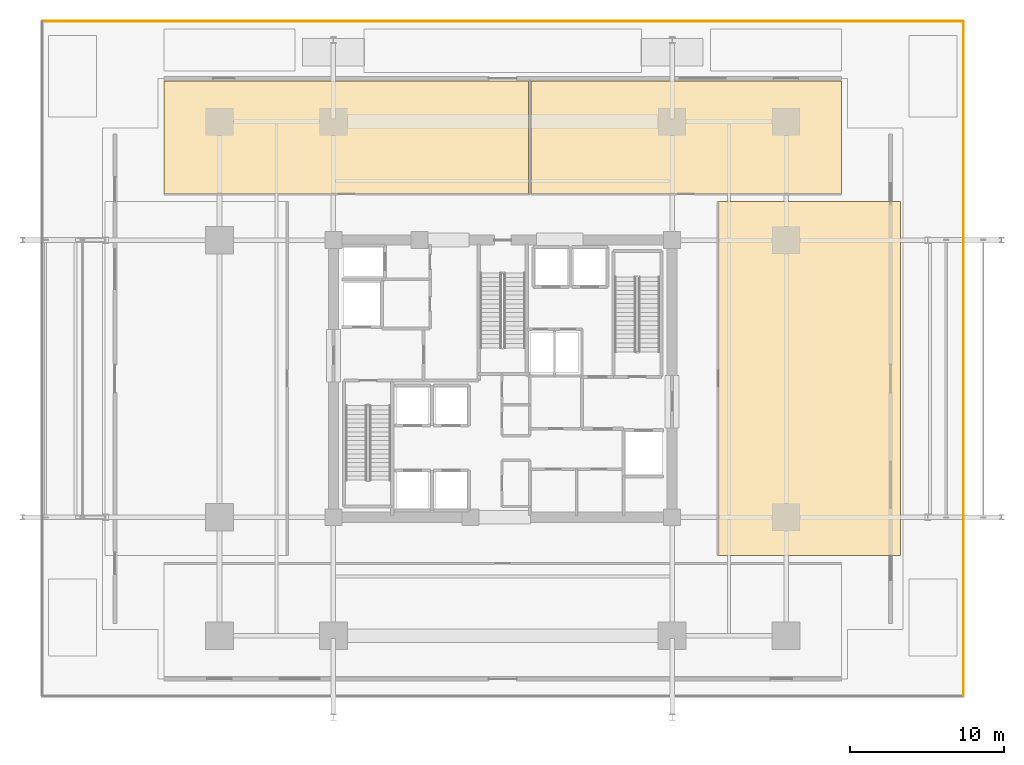
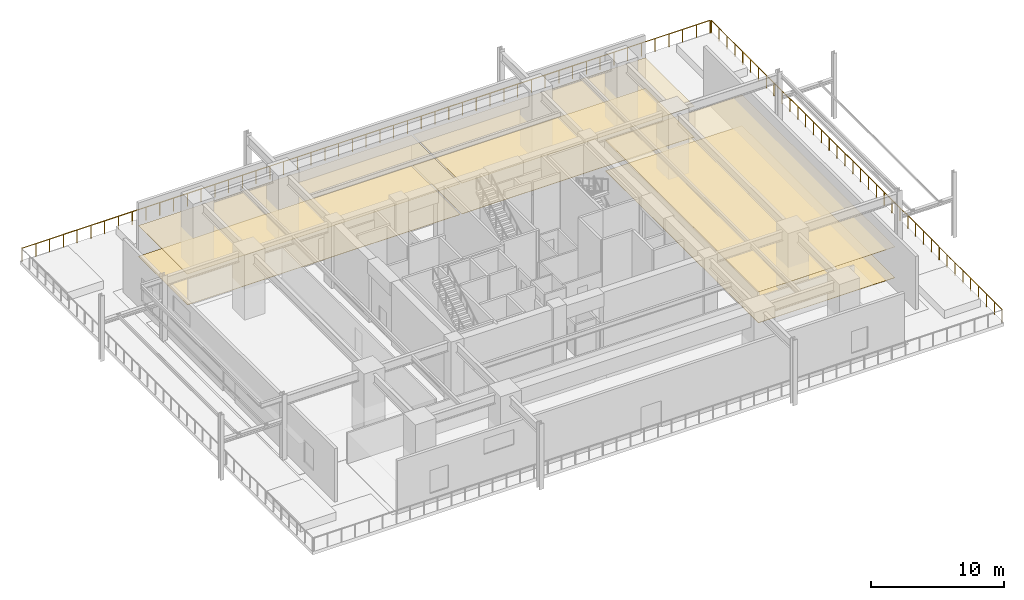
# One storey, part 14 of 14: 6 coverings, 2 railings.
"""IFC4 building model written with IfcOpenShell, lengths in metres."""

from ifc_helpers import new_model, si_unit, direction, frame, origin, origin_2d, place, context, subcontext, project, spatial, polyline, circle, outline, extrude, material, layer, layer_set, type_object, element, save


model = new_model("IFC4")

# Units and contexts
model_context = context("Model", 3, precision=1e-05, world=origin(), true_north=direction((0.0, 1.0)))
body_context = subcontext(model_context, "Body", "Model", "MODEL_VIEW")
ifc_project = project(units=[si_unit("LENGTHUNIT", "METRE"), si_unit("AREAUNIT", "SQUARE_METRE"), si_unit("VOLUMEUNIT", "CUBIC_METRE"), si_unit("PLANEANGLEUNIT", "RADIAN"), si_unit("MASSUNIT", "GRAM", prefix="KILO")], contexts=[model_context])

# Site, building, storey
site_placement = place(None, origin())
site = spatial("IfcSite", under=ifc_project, at=site_placement, CompositionType="ELEMENT")
building_placement = place(site_placement, origin())
building = spatial("IfcBuilding", under=site, at=building_placement, Name="Kovane Verandah Tower", CompositionType="ELEMENT")
storey_placement = place(building_placement, frame((0.0, 0.0, 21.60009765625)))
storey = spatial("IfcBuildingStorey", under=building, at=storey_placement, Name="L04", CompositionType="ELEMENT", Elevation=21.60009765625)

# Coverings
ifc_material_1 = material(Name="Perforated Acoustic Mineral-Fibre Ceiling Tile", Category="gypsum")
ifc_layer_1 = layer(ifc_material_1, 0.02490234375)
ifc_layer_set_1 = layer_set([ifc_layer_1], Name="Perforated Acoustic Mineral-Fibre Ceiling Tile")
covering_type_1 = type_object("IfcCoveringType", Name="CV-CEIL-25", PredefinedType="CEILING", material=ifc_layer_set_1)
covering_1_placement = place(storey_placement, frame((0.0, 0.0, 2.824951171875)))
element("IfcCovering", 1, at=covering_1_placement, inside=storey, type_object=covering_type_1, Name="L04 Subtropical Botanical Garden Cafe Acoustic Ceiling", PredefinedType="CEILING", context=body_context, shape_type="SweptSolid", body=[
    extrude(outline(polyline([(18.0, 39.5), (41.679931640625, 39.5), (41.679931640625, 46.85009765625), (18.0, 46.85009765625), (18.0, 39.5)])), origin(), (0.0, 0.0, 1.0), 0.02490234375),
])
covering_2_placement = place(storey_placement, frame((0.0, 0.0, 2.824951171875)))
element("IfcCovering", 2, at=covering_2_placement, inside=storey, type_object=covering_type_1, Name="L04 Garden Event Lounge Acoustic Ceiling", PredefinedType="CEILING", context=body_context, shape_type="SweptSolid", body=[
    extrude(outline(polyline([(41.820068359375, 39.5), (62.0, 39.5), (62.0, 46.85009765625), (41.820068359375, 46.85009765625), (41.820068359375, 39.5)])), origin(), (0.0, 0.0, 1.0), 0.02490234375),
])
covering_3_placement = place(storey_placement, frame((0.0, 0.0, 2.824951171875)))
element("IfcCovering", 3, at=covering_3_placement, inside=storey, type_object=covering_type_1, Name="L04 East Conservatory Exhibition Gallery Acoustic Ceiling", PredefinedType="CEILING", context=body_context, shape_type="SweptSolid", body=[
    extrude(outline(polyline([(54.0, 16.0), (65.85009765625, 16.0), (65.85009765625, 39.0), (54.0, 39.0), (54.0, 16.0)])), origin(), (0.0, 0.0, 1.0), 0.02490234375),
])
ifc_material_2 = material(Name="Polished Terrazzo and Raised-Access Carpet Tile Finish", Category="concrete")
ifc_layer_2 = layer(ifc_material_2, 0.030029296875)
ifc_layer_set_2 = layer_set([ifc_layer_2], Name="Polished Terrazzo and Raised-Access Carpet Tile Finish")
covering_type_2 = type_object("IfcCoveringType", Name="CV-FLOR-30", PredefinedType="FLOORING", material=ifc_layer_set_2)
covering_4_placement = place(storey_placement, origin())
element("IfcCovering", 4, at=covering_4_placement, inside=storey, type_object=covering_type_2, Name="L04 Subtropical Botanical Garden Cafe Floor Finish", PredefinedType="FLOORING", context=body_context, shape_type="SweptSolid", body=[
    extrude(outline(polyline([(18.0, 39.5), (41.679931640625, 39.5), (41.679931640625, 46.85009765625), (18.0, 46.85009765625), (18.0, 39.5)])), origin(), (0.0, 0.0, 1.0), 0.02978515625),
])
covering_5_placement = place(storey_placement, origin())
element("IfcCovering", 5, at=covering_5_placement, inside=storey, type_object=covering_type_2, Name="L04 Garden Event Lounge Floor Finish", PredefinedType="FLOORING", context=body_context, shape_type="SweptSolid", body=[
    extrude(outline(polyline([(41.820068359375, 39.5), (62.0, 39.5), (62.0, 46.85009765625), (41.820068359375, 46.85009765625), (41.820068359375, 39.5)])), origin(), (0.0, 0.0, 1.0), 0.02978515625),
])
covering_6_placement = place(storey_placement, origin())
element("IfcCovering", 6, at=covering_6_placement, inside=storey, type_object=covering_type_2, Name="L04 East Conservatory Exhibition Gallery Floor Finish", PredefinedType="FLOORING", context=body_context, shape_type="SweptSolid", body=[
    extrude(outline(polyline([(54.0, 16.0), (65.85009765625, 16.0), (65.85009765625, 39.0), (54.0, 39.0), (54.0, 16.0)])), origin(), (0.0, 0.0, 1.0), 0.02978515625),
])

# Railings
ifc_material_3 = material(Name="Pale-Champagne Stainless Steel and Glass Perimeter Guard", Category="steel")
railing_type = type_object("IfcRailingType", Name="RL-GDN-1200", PredefinedType="GUARDRAIL", material=ifc_material_3)
railing_1_placement = place(storey_placement, frame((69.919921875, 6.93994140625, 0.0)))
element("IfcRailing", 7, at=railing_1_placement, inside=storey, type_object=railing_type, Name="L04 Raised Public Garden Perimeter Guard E", PredefinedType="GUARDRAIL", context=body_context, shape_type="SweptSolid", body=[
    extrude(circle(Radius=0.02392578125, at=origin_2d()), frame((0.0, 0.0, 1.17578125), z_axis=(0.0, 1.0, 0.0), x_axis=(-1.0, 0.0, 0.0)), (0.0, 0.0, 1.0), 43.719970703125),
    extrude(circle(Radius=0.02099609375, at=origin_2d()), origin(), (0.0, 0.0, 1.0), 1.15185546875),
    extrude(circle(Radius=0.02099609375, at=origin_2d()), frame((0.0, 1.181640625, 0.0)), (0.0, 0.0, 1.0), 1.15185546875),
    extrude(circle(Radius=0.02099609375, at=origin_2d()), frame((0.0, 2.36328125, 0.0)), (0.0, 0.0, 1.0), 1.15185546875),
    extrude(circle(Radius=0.02099609375, at=origin_2d()), frame((0.0, 3.544921875, 0.0)), (0.0, 0.0, 1.0), 1.15185546875),
    extrude(circle(Radius=0.02099609375, at=origin_2d()), frame((0.0, 4.7265625, 0.0)), (0.0, 0.0, 1.0), 1.15185546875),
    extrude(circle(Radius=0.02099609375, at=origin_2d()), frame((0.0, 5.908203125, 0.0)), (0.0, 0.0, 1.0), 1.15185546875),
    extrude(circle(Radius=0.02099609375, at=origin_2d()), frame((0.0, 7.08984375, 0.0)), (0.0, 0.0, 1.0), 1.15185546875),
    extrude(circle(Radius=0.02099609375, at=origin_2d()), frame((0.0, 8.271240234375, 0.0)), (0.0, 0.0, 1.0), 1.15185546875),
    extrude(circle(Radius=0.02099609375, at=origin_2d()), frame((0.0, 9.452880859375, 0.0)), (0.0, 0.0, 1.0), 1.15185546875),
    extrude(circle(Radius=0.02099609375, at=origin_2d()), frame((0.0, 10.634521484375, 0.0)), (0.0, 0.0, 1.0), 1.15185546875),
    extrude(circle(Radius=0.02099609375, at=origin_2d()), frame((0.0, 11.816162109375, 0.0)), (0.0, 0.0, 1.0), 1.15185546875),
    extrude(circle(Radius=0.02099609375, at=origin_2d()), frame((0.0, 12.997802734375, 0.0)), (0.0, 0.0, 1.0), 1.15185546875),
    extrude(circle(Radius=0.02099609375, at=origin_2d()), frame((0.0, 14.179443359375, 0.0)), (0.0, 0.0, 1.0), 1.15185546875),
    extrude(circle(Radius=0.02099609375, at=origin_2d()), frame((0.0, 15.361083984375, 0.0)), (0.0, 0.0, 1.0), 1.15185546875),
    extrude(circle(Radius=0.02099609375, at=origin_2d()), frame((0.0, 16.542724609375, 0.0)), (0.0, 0.0, 1.0), 1.15185546875),
    extrude(circle(Radius=0.02099609375, at=origin_2d()), frame((0.0, 17.724365234375, 0.0)), (0.0, 0.0, 1.0), 1.15185546875),
    extrude(circle(Radius=0.02099609375, at=origin_2d()), frame((0.0, 18.906005859375, 0.0)), (0.0, 0.0, 1.0), 1.15185546875),
    extrude(circle(Radius=0.02099609375, at=origin_2d()), frame((0.0, 20.087646484375, 0.0)), (0.0, 0.0, 1.0), 1.15185546875),
    extrude(circle(Radius=0.02099609375, at=origin_2d()), frame((0.0, 21.269287109375, 0.0)), (0.0, 0.0, 1.0), 1.15185546875),
    extrude(circle(Radius=0.02099609375, at=origin_2d()), frame((0.0, 22.45068359375, 0.0)), (0.0, 0.0, 1.0), 1.15185546875),
    extrude(circle(Radius=0.02099609375, at=origin_2d()), frame((0.0, 23.63232421875, 0.0)), (0.0, 0.0, 1.0), 1.15185546875),
    extrude(circle(Radius=0.02099609375, at=origin_2d()), frame((0.0, 24.81396484375, 0.0)), (0.0, 0.0, 1.0), 1.15185546875),
    extrude(circle(Radius=0.02099609375, at=origin_2d()), frame((0.0, 25.99560546875, 0.0)), (0.0, 0.0, 1.0), 1.15185546875),
    extrude(circle(Radius=0.02099609375, at=origin_2d()), frame((0.0, 27.17724609375, 0.0)), (0.0, 0.0, 1.0), 1.15185546875),
    extrude(circle(Radius=0.02099609375, at=origin_2d()), frame((0.0, 28.35888671875, 0.0)), (0.0, 0.0, 1.0), 1.15185546875),
    extrude(circle(Radius=0.02099609375, at=origin_2d()), frame((0.0, 29.54052734375, 0.0)), (0.0, 0.0, 1.0), 1.15185546875),
    extrude(circle(Radius=0.02099609375, at=origin_2d()), frame((0.0, 30.72216796875, 0.0)), (0.0, 0.0, 1.0), 1.15185546875),
    extrude(circle(Radius=0.02099609375, at=origin_2d()), frame((0.0, 31.90380859375, 0.0)), (0.0, 0.0, 1.0), 1.15185546875),
    extrude(circle(Radius=0.02099609375, at=origin_2d()), frame((0.0, 33.08544921875, 0.0)), (0.0, 0.0, 1.0), 1.15185546875),
    extrude(circle(Radius=0.02099609375, at=origin_2d()), frame((0.0, 34.26708984375, 0.0)), (0.0, 0.0, 1.0), 1.15185546875),
    extrude(circle(Radius=0.02099609375, at=origin_2d()), frame((0.0, 35.44873046875, 0.0)), (0.0, 0.0, 1.0), 1.15185546875),
    extrude(circle(Radius=0.02099609375, at=origin_2d()), frame((0.0, 36.630126953125, 0.0)), (0.0, 0.0, 1.0), 1.15185546875),
    extrude(circle(Radius=0.02099609375, at=origin_2d()), frame((0.0, 37.811767578125, 0.0)), (0.0, 0.0, 1.0), 1.15185546875),
    extrude(circle(Radius=0.02099609375, at=origin_2d()), frame((0.0, 38.993408203125, 0.0)), (0.0, 0.0, 1.0), 1.15185546875),
    extrude(circle(Radius=0.02099609375, at=origin_2d()), frame((0.0, 40.175048828125, 0.0)), (0.0, 0.0, 1.0), 1.15185546875),
    extrude(circle(Radius=0.02099609375, at=origin_2d()), frame((0.0, 41.356689453125, 0.0)), (0.0, 0.0, 1.0), 1.15185546875),
    extrude(circle(Radius=0.02099609375, at=origin_2d()), frame((0.0, 42.538330078125, 0.0)), (0.0, 0.0, 1.0), 1.15185546875),
    extrude(circle(Radius=0.02099609375, at=origin_2d()), frame((0.0, 43.719970703125, 0.0)), (0.0, 0.0, 1.0), 1.15185546875),
])
railing_2_placement = place(storey_placement, frame((69.860107421875, 50.719970703125, 0.0)))
element("IfcRailing", 8, at=railing_2_placement, inside=storey, type_object=railing_type, Name="L04 Raised Public Garden Perimeter Guard N", PredefinedType="GUARDRAIL", context=body_context, shape_type="SweptSolid", body=[
    extrude(circle(Radius=0.02392578125, at=origin_2d()), frame((0.0, 0.0, 1.17578125), z_axis=(-1.0, 0.0, 0.0), x_axis=(0.0, -1.0, 0.0)), (0.0, 0.0, 1.0), 59.72021484375),
    extrude(circle(Radius=0.02099609375, at=origin_2d()), origin(), (0.0, 0.0, 1.0), 1.15185546875),
    extrude(circle(Radius=0.02099609375, at=origin_2d()), frame((-1.1943359375, 0.0, 0.0)), (0.0, 0.0, 1.0), 1.15185546875),
    extrude(circle(Radius=0.02099609375, at=origin_2d()), frame((-2.388916015625, 0.0, 0.0)), (0.0, 0.0, 1.0), 1.15185546875),
    extrude(circle(Radius=0.02099609375, at=origin_2d()), frame((-3.583251953125, 0.0, 0.0)), (0.0, 0.0, 1.0), 1.15185546875),
    extrude(circle(Radius=0.02099609375, at=origin_2d()), frame((-4.777587890625, 0.0, 0.0)), (0.0, 0.0, 1.0), 1.15185546875),
    extrude(circle(Radius=0.02099609375, at=origin_2d()), frame((-5.971923828125, 0.0, 0.0)), (0.0, 0.0, 1.0), 1.15185546875),
    extrude(circle(Radius=0.02099609375, at=origin_2d()), frame((-7.16650390625, 0.0, 0.0)), (0.0, 0.0, 1.0), 1.15185546875),
    extrude(circle(Radius=0.02099609375, at=origin_2d()), frame((-8.36083984375, 0.0, 0.0)), (0.0, 0.0, 1.0), 1.15185546875),
    extrude(circle(Radius=0.02099609375, at=origin_2d()), frame((-9.55517578125, 0.0, 0.0)), (0.0, 0.0, 1.0), 1.15185546875),
    extrude(circle(Radius=0.02099609375, at=origin_2d()), frame((-10.749755859375, 0.0, 0.0)), (0.0, 0.0, 1.0), 1.15185546875),
    extrude(circle(Radius=0.02099609375, at=origin_2d()), frame((-11.944091796875, 0.0, 0.0)), (0.0, 0.0, 1.0), 1.15185546875),
    extrude(circle(Radius=0.02099609375, at=origin_2d()), frame((-13.138427734375, 0.0, 0.0)), (0.0, 0.0, 1.0), 1.15185546875),
    extrude(circle(Radius=0.02099609375, at=origin_2d()), frame((-14.332763671875, 0.0, 0.0)), (0.0, 0.0, 1.0), 1.15185546875),
    extrude(circle(Radius=0.02099609375, at=origin_2d()), frame((-15.52734375, 0.0, 0.0)), (0.0, 0.0, 1.0), 1.15185546875),
    extrude(circle(Radius=0.02099609375, at=origin_2d()), frame((-16.7216796875, 0.0, 0.0)), (0.0, 0.0, 1.0), 1.15185546875),
    extrude(circle(Radius=0.02099609375, at=origin_2d()), frame((-17.916015625, 0.0, 0.0)), (0.0, 0.0, 1.0), 1.15185546875),
    extrude(circle(Radius=0.02099609375, at=origin_2d()), frame((-19.1103515625, 0.0, 0.0)), (0.0, 0.0, 1.0), 1.15185546875),
    extrude(circle(Radius=0.02099609375, at=origin_2d()), frame((-20.304931640625, 0.0, 0.0)), (0.0, 0.0, 1.0), 1.15185546875),
    extrude(circle(Radius=0.02099609375, at=origin_2d()), frame((-21.499267578125, 0.0, 0.0)), (0.0, 0.0, 1.0), 1.15185546875),
    extrude(circle(Radius=0.02099609375, at=origin_2d()), frame((-22.693603515625, 0.0, 0.0)), (0.0, 0.0, 1.0), 1.15185546875),
    extrude(circle(Radius=0.02099609375, at=origin_2d()), frame((-23.88818359375, 0.0, 0.0)), (0.0, 0.0, 1.0), 1.15185546875),
    extrude(circle(Radius=0.02099609375, at=origin_2d()), frame((-25.08251953125, 0.0, 0.0)), (0.0, 0.0, 1.0), 1.15185546875),
    extrude(circle(Radius=0.02099609375, at=origin_2d()), frame((-26.27685546875, 0.0, 0.0)), (0.0, 0.0, 1.0), 1.15185546875),
    extrude(circle(Radius=0.02099609375, at=origin_2d()), frame((-27.47119140625, 0.0, 0.0)), (0.0, 0.0, 1.0), 1.15185546875),
    extrude(circle(Radius=0.02099609375, at=origin_2d()), frame((-28.665771484375, 0.0, 0.0)), (0.0, 0.0, 1.0), 1.15185546875),
    extrude(circle(Radius=0.02099609375, at=origin_2d()), frame((-29.860107421875, 0.0, 0.0)), (0.0, 0.0, 1.0), 1.15185546875),
    extrude(circle(Radius=0.02099609375, at=origin_2d()), frame((-31.054443359375, 0.0, 0.0)), (0.0, 0.0, 1.0), 1.15185546875),
    extrude(circle(Radius=0.02099609375, at=origin_2d()), frame((-32.2490234375, 0.0, 0.0)), (0.0, 0.0, 1.0), 1.15185546875),
    extrude(circle(Radius=0.02099609375, at=origin_2d()), frame((-33.443359375, 0.0, 0.0)), (0.0, 0.0, 1.0), 1.15185546875),
    extrude(circle(Radius=0.02099609375, at=origin_2d()), frame((-34.6376953125, 0.0, 0.0)), (0.0, 0.0, 1.0), 1.15185546875),
    extrude(circle(Radius=0.02099609375, at=origin_2d()), frame((-35.83203125, 0.0, 0.0)), (0.0, 0.0, 1.0), 1.15185546875),
    extrude(circle(Radius=0.02099609375, at=origin_2d()), frame((-37.026611328125, 0.0, 0.0)), (0.0, 0.0, 1.0), 1.15185546875),
    extrude(circle(Radius=0.02099609375, at=origin_2d()), frame((-38.220947265625, 0.0, 0.0)), (0.0, 0.0, 1.0), 1.15185546875),
    extrude(circle(Radius=0.02099609375, at=origin_2d()), frame((-39.415283203125, 0.0, 0.0)), (0.0, 0.0, 1.0), 1.15185546875),
    extrude(circle(Radius=0.02099609375, at=origin_2d()), frame((-40.60986328125, 0.0, 0.0)), (0.0, 0.0, 1.0), 1.15185546875),
    extrude(circle(Radius=0.02099609375, at=origin_2d()), frame((-41.80419921875, 0.0, 0.0)), (0.0, 0.0, 1.0), 1.15185546875),
    extrude(circle(Radius=0.02099609375, at=origin_2d()), frame((-42.99853515625, 0.0, 0.0)), (0.0, 0.0, 1.0), 1.15185546875),
    extrude(circle(Radius=0.02099609375, at=origin_2d()), frame((-44.19287109375, 0.0, 0.0)), (0.0, 0.0, 1.0), 1.15185546875),
    extrude(circle(Radius=0.02099609375, at=origin_2d()), frame((-45.387451171875, 0.0, 0.0)), (0.0, 0.0, 1.0), 1.15185546875),
    extrude(circle(Radius=0.02099609375, at=origin_2d()), frame((-46.581787109375, 0.0, 0.0)), (0.0, 0.0, 1.0), 1.15185546875),
    extrude(circle(Radius=0.02099609375, at=origin_2d()), frame((-47.776123046875, 0.0, 0.0)), (0.0, 0.0, 1.0), 1.15185546875),
    extrude(circle(Radius=0.02099609375, at=origin_2d()), frame((-48.970458984375, 0.0, 0.0)), (0.0, 0.0, 1.0), 1.15185546875),
    extrude(circle(Radius=0.02099609375, at=origin_2d()), frame((-50.1650390625, 0.0, 0.0)), (0.0, 0.0, 1.0), 1.15185546875),
    extrude(circle(Radius=0.02099609375, at=origin_2d()), frame((-51.359375, 0.0, 0.0)), (0.0, 0.0, 1.0), 1.15185546875),
    extrude(circle(Radius=0.02099609375, at=origin_2d()), frame((-52.5537109375, 0.0, 0.0)), (0.0, 0.0, 1.0), 1.15185546875),
    extrude(circle(Radius=0.02099609375, at=origin_2d()), frame((-53.748291015625, 0.0, 0.0)), (0.0, 0.0, 1.0), 1.15185546875),
    extrude(circle(Radius=0.02099609375, at=origin_2d()), frame((-54.942626953125, 0.0, 0.0)), (0.0, 0.0, 1.0), 1.15185546875),
    extrude(circle(Radius=0.02099609375, at=origin_2d()), frame((-56.136962890625, 0.0, 0.0)), (0.0, 0.0, 1.0), 1.15185546875),
    extrude(circle(Radius=0.02099609375, at=origin_2d()), frame((-57.331298828125, 0.0, 0.0)), (0.0, 0.0, 1.0), 1.15185546875),
    extrude(circle(Radius=0.02099609375, at=origin_2d()), frame((-58.52587890625, 0.0, 0.0)), (0.0, 0.0, 1.0), 1.15185546875),
    extrude(circle(Radius=0.02099609375, at=origin_2d()), frame((-59.72021484375, 0.0, 0.0)), (0.0, 0.0, 1.0), 1.15185546875),
])

save(model, "model.ifc")
